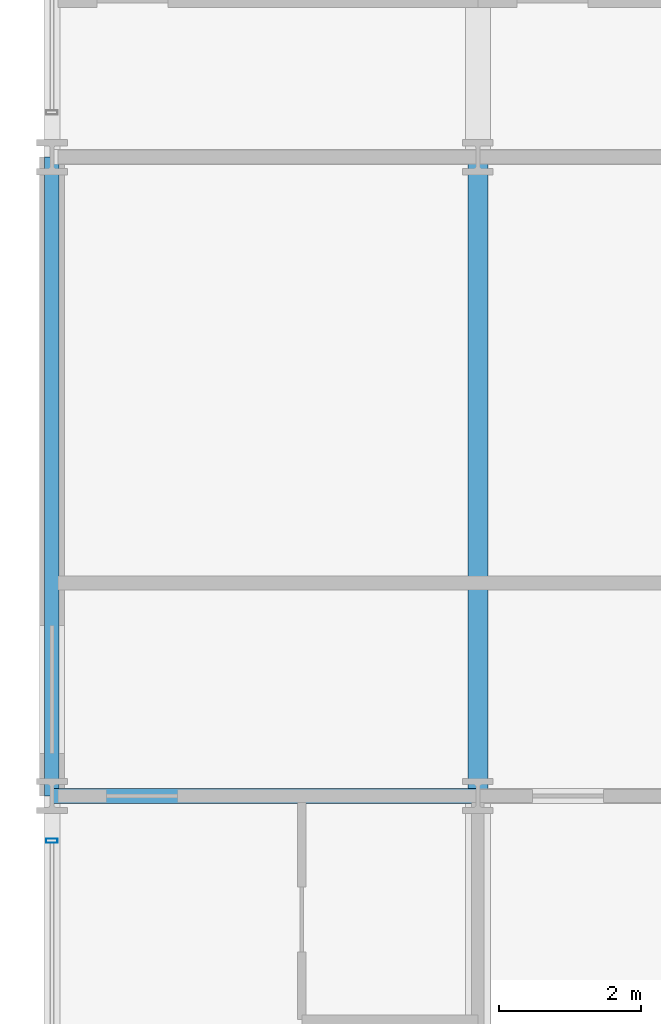
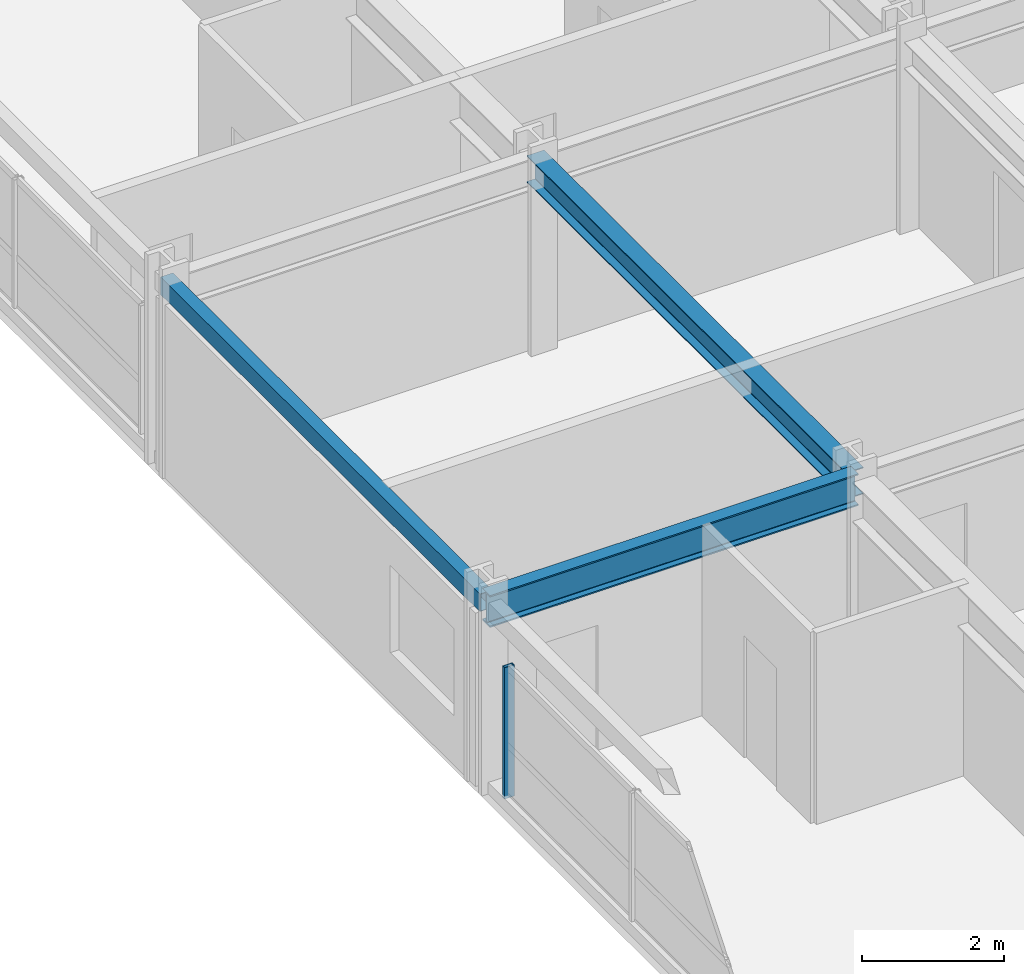
# One storey, part 6 of 24: 3 beams, 1 member, 1 element without a shape of its own.
"""IFC4 building model written with IfcOpenShell, lengths in metres."""

from ifc_helpers import new_model, si_unit, direction, frame, origin, origin_2d, place, context, subcontext, project, spatial, hollow_rectangle, i_section, extrude, material, material_profile, profile_set, type_object, element, aggregate, save


model = new_model("IFC4")

# Units and contexts
model_context = context("Model", 3, precision=1e-05, world=origin(), true_north=direction((0.0, 1.0)))
body_context = subcontext(model_context, "Body", "Model", "MODEL_VIEW")
ifc_project = project(units=[si_unit("LENGTHUNIT", "METRE"), si_unit("AREAUNIT", "SQUARE_METRE"), si_unit("VOLUMEUNIT", "CUBIC_METRE"), si_unit("PLANEANGLEUNIT", "RADIAN"), si_unit("MASSUNIT", "GRAM", prefix="KILO")], contexts=[model_context])

# Site, building, storey
site_placement = place(None, origin())
site = spatial("IfcSite", under=ifc_project, at=site_placement, CompositionType="ELEMENT")
building_placement = place(site_placement, origin())
building = spatial("IfcBuilding", under=site, at=building_placement, Name="Kaldorvane Square Convention Centre", CompositionType="ELEMENT")
storey_placement = place(building_placement, frame((0.0, 0.0, 27.600006103515625)))
storey = spatial("IfcBuildingStorey", under=building, at=storey_placement, Name="L05", CompositionType="ELEMENT", Elevation=27.600006103515625)

# Beams
ifc_material_1 = material(Name="Steel ASTM A992 Gr. 50", Category="steel")
ifc_material_profile_1 = material_profile(ifc_material_1, i_section(OverallWidth=0.213897705078125, OverallDepth=0.549102783203125, WebThickness=0.0146942138671875, FlangeThickness=0.0236053466796875, FilletRadius=0.0126953125, at=origin_2d()), Name="W21X93")
ifc_profile_set_1 = profile_set([ifc_material_profile_1], Name="Steel ASTM A992 Gr. 50")
beam_type_1 = type_object("IfcBeamType", Name="BM-GR-W21X93", PredefinedType="BEAM", material=ifc_profile_set_1)
beam_1_placement = place(storey_placement, frame((24.0, 96.0, 3.0114898681640625), z_axis=(1.0, 0.0, 0.0), x_axis=(0.0, 1.0, 0.0)))
element("IfcBeam", 1, at=beam_1_placement, inside=storey, type_object=beam_type_1, Name="Primary Girder (L05)", PredefinedType="BEAM", context=body_context, shape_type="SweptSolid", body=[
    extrude(i_section(OverallWidth=0.213897705078125, OverallDepth=0.549102783203125, WebThickness=0.0146942138671875, FlangeThickness=0.0236053466796875, FilletRadius=0.0126953125, at=origin_2d()), origin(), (0.0, 0.0, 1.0), 6.0),
])
ifc_material_profile_2 = material_profile(ifc_material_1, i_section(OverallWidth=0.2799072265625, OverallDepth=0.462799072265625, WebThickness=0.01080322265625, FlangeThickness=0.017303466796875, FilletRadius=0.01019287109375, at=origin_2d()), Name="W18X76")
ifc_profile_set_2 = profile_set([ifc_material_profile_2], Name="Steel ASTM A992 Gr. 50")
beam_type_2 = type_object("IfcBeamType", Name="BM-JS-W18X76", PredefinedType="JOIST", material=ifc_profile_set_2)
beam_2_placement = place(storey_placement, frame((30.0, 96.0, 3.054595947265625), z_axis=(0.0, 1.0, 0.0), x_axis=(-1.0, 0.0, 0.0)))
element("IfcBeam", 2, at=beam_2_placement, inside=storey, type_object=beam_type_2, Name="Transverse Girder (L05)", PredefinedType="JOIST", context=body_context, shape_type="SweptSolid", body=[
    extrude(i_section(OverallWidth=0.2799072265625, OverallDepth=0.462799072265625, WebThickness=0.01080322265625, FlangeThickness=0.017303466796875, FilletRadius=0.01019287109375, at=origin_2d()), origin(), (0.0, 0.0, 1.0), 9.0),
])
ifc_material_2 = material(Name="Steel ASTM A500 Gr. C", Category="steel")
ifc_material_profile_3 = material_profile(ifc_material_2, hollow_rectangle(XDim=0.2032012939453125, YDim=0.3047943115234375, WallThickness=0.0088958740234375, at=origin_2d()), Name="HSS12X8X3/8")
ifc_profile_set_3 = profile_set([ifc_material_profile_3], Name="Steel ASTM A500 Gr. C")
beam_type_3 = type_object("IfcBeamType", Name="BM-SP-HSS12", PredefinedType="SPANDREL", material=ifc_profile_set_3)
beam_3_placement = place(storey_placement, frame((24.0, 96.0, 3.1335906982421875), z_axis=(0.0, 1.0, 0.0), x_axis=(-1.0, 0.0, 0.0)))
element("IfcBeam", 3, at=beam_3_placement, inside=storey, type_object=beam_type_3, Name="End Spandrel (L05)", PredefinedType="SPANDREL", context=body_context, shape_type="SweptSolid", body=[
    extrude(hollow_rectangle(XDim=0.2032012939453125, YDim=0.3047943115234375, WallThickness=0.0088958740234375, at=origin_2d()), origin(), (0.0, 0.0, 1.0), 9.0),
])

# Curtain wall, member
ifc_material_3 = material(Name="Anodized Aluminum and Low-E Insulated Glazing", Category="aluminium")
curtain_wall_type = type_object("IfcCurtainWallType", Name="CW-UNI-HTL-B", PredefinedType="USERDEFINED", material=ifc_material_3)
curtain_wall_placement = place(storey_placement, origin())
curtain_wall = element("IfcCurtainWall", 4, at=curtain_wall_placement, inside=storey, type_object=curtain_wall_type, Name="Curtain Wall CW-11 (L05)", ObjectType="UNITISED GLAZING", PredefinedType="USERDEFINED")
ifc_material_profile_4 = material_profile(ifc_material_3, hollow_rectangle(XDim=0.05999755859375, YDim=0.160003662109375, WallThickness=0.003204345703125, at=origin_2d()), Name="CWM-160X60")
ifc_profile_set_4 = profile_set([ifc_material_profile_4], Name="Anodized Aluminum and Low-E Insulated Glazing")
member_type = type_object("IfcMemberType", Name="CW-MUL-160", PredefinedType="MULLION", material=ifc_profile_set_4)
member_placement = place(storey_placement, frame((24.0, 95.3699951171875, 0.149993896484375), z_axis=(0.0, 0.0, 1.0), x_axis=(0.0, -1.0, 0.0)))
member = element("IfcMember", 5, at=member_placement, type_object=member_type, Name="CW-11 mullion 1", PredefinedType="MULLION", context=body_context, shape_type="SweptSolid", body=[
    extrude(hollow_rectangle(XDim=0.05999755859375, YDim=0.160003662109375, WallThickness=0.003204345703125, at=origin_2d()), origin(), (0.0, 0.0, 1.0), 2.2599945068359375),
])
aggregate(curtain_wall, [member])

save(model, "model.ifc")
